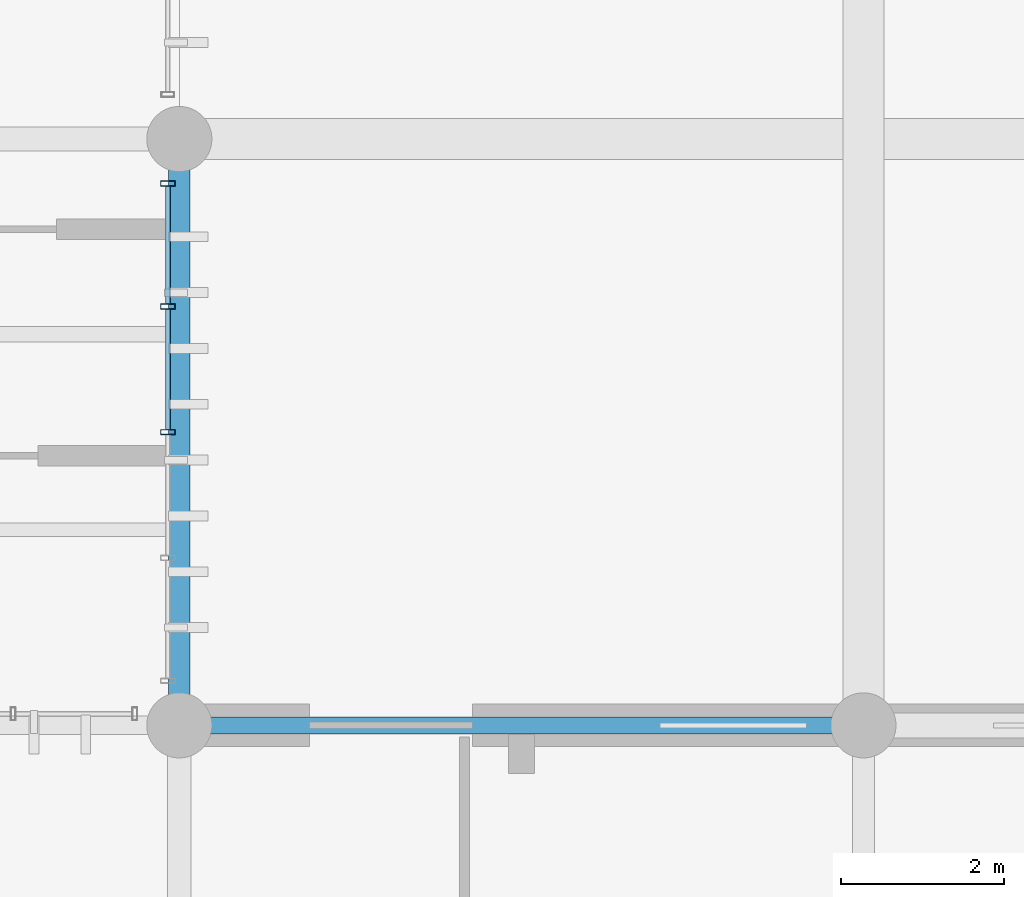
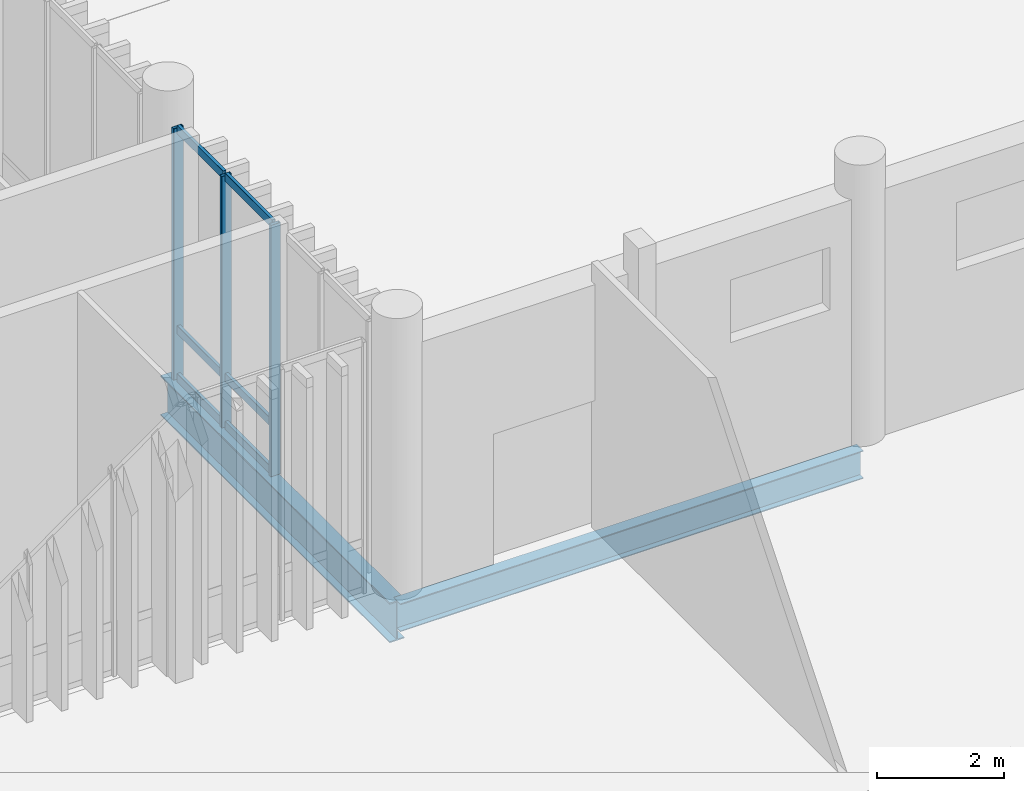
# One storey, part 48 of 112: 9 members, 2 beams, 1 element without a shape of its own.
"""IFC4 building model written with IfcOpenShell, lengths in metres."""

from ifc_helpers import new_model, si_unit, direction, frame, origin_with_axes, origin_2d_with_axis, place, context, subcontext, project, spatial, hollow_rectangle, i_section, extrude, material, material_profile, profile_set, type_object, element, aggregate, save


model = new_model("IFC4")

# Units and contexts
model_context = context("Model", 3, precision=1e-05, world=origin_with_axes(), true_north=direction((0.0, 1.0)))
body_context = subcontext(model_context, "Body", "Model", "MODEL_VIEW")
ifc_project = project(units=[si_unit("LENGTHUNIT", "METRE"), si_unit("AREAUNIT", "SQUARE_METRE"), si_unit("VOLUMEUNIT", "CUBIC_METRE"), si_unit("PLANEANGLEUNIT", "RADIAN"), si_unit("MASSUNIT", "GRAM", prefix="KILO"), si_unit("THERMODYNAMICTEMPERATUREUNIT", "KELVIN")], contexts=[model_context])

# Site, building, storey
site_placement = place(None, origin_with_axes())
site = spatial("IfcSite", under=ifc_project, at=site_placement, CompositionType="ELEMENT")
building_placement = place(site_placement, origin_with_axes())
building = spatial("IfcBuilding", under=site, at=building_placement, Name="Montbau Bow Law Courts", CompositionType="ELEMENT")
storey_placement = place(building_placement, origin_with_axes())
storey = spatial("IfcBuildingStorey", under=building, at=storey_placement, Name="L00", CompositionType="ELEMENT", Elevation=0.0)

# Beams
ifc_material_1 = material(Name="Steel CSA G40.21 Grade 350W (350 MPa)", Category="steel")
ifc_material_profile_1 = material_profile(ifc_material_1, i_section(OverallWidth=0.267, OverallDepth=0.766, WebThickness=0.0149, FlangeThickness=0.0236, at=origin_2d_with_axis()), Name="W760X185", Category="Main", Priority=0)
ifc_profile_set_1 = profile_set([ifc_material_profile_1], Name="Steel CSA G40.21 Grade 350W (350 MPa)")
beam_type_1 = type_object("IfcBeamType", Name="B-FLR-03", PredefinedType="BEAM", material=ifc_profile_set_1)
beam_1_placement = place(None, frame((97.2, 39.0, -0.673), z_axis=(0.0, 1.0, 0.0), x_axis=(-1.0, 0.0, 0.0)))
element("IfcBeam", 1, at=beam_1_placement, inside=storey, type_object=beam_type_1, Name="BM-L00-S0310:bm2_0313", PredefinedType="BEAM", context=body_context, shape_type="SweptSolid", body=[
    extrude(i_section(OverallWidth=0.267, OverallDepth=0.766, WebThickness=0.0149, FlangeThickness=0.0236, at=origin_2d_with_axis()), origin_with_axes(), (0.0, 0.0, 1.0), 7.2),
])
ifc_material_profile_2 = material_profile(ifc_material_1, i_section(OverallWidth=0.21, OverallDepth=0.537, WebThickness=0.0109, FlangeThickness=0.0174, at=origin_2d_with_axis()), Name="W530X101", Category="Main", Priority=0)
ifc_profile_set_2 = profile_set([ifc_material_profile_2], Name="Steel CSA G40.21 Grade 350W (350 MPa)")
beam_type_2 = type_object("IfcBeamType", Name="B-FLR-06", PredefinedType="BEAM", material=ifc_profile_set_2)
beam_2_placement = place(None, frame((97.2, 39.0, -0.558), z_axis=(1.0, 0.0, 0.0), x_axis=(0.0, 1.0, 0.0)))
element("IfcBeam", 2, at=beam_2_placement, inside=storey, type_object=beam_type_2, Name="BM-L00-S0194:bm2_0197", PredefinedType="BEAM", context=body_context, shape_type="SweptSolid", body=[
    extrude(i_section(OverallWidth=0.21, OverallDepth=0.537, WebThickness=0.0109, FlangeThickness=0.0174, at=origin_2d_with_axis()), origin_with_axes(), (0.0, 0.0, 1.0), 8.4),
])

# Curtain wall, members
ifc_material_2 = material(Name="Thermally Broken Extruded Aluminium AA 6063-T6", Category="aluminium")
curtain_wall_type = type_object("IfcCurtainWallType", Name="CW-CRM-01", PredefinedType="NOTDEFINED", material=ifc_material_2)
curtain_wall_placement = place(None, frame((97.06, 39.515, 0.0), z_axis=(0.0, 0.0, 1.0), x_axis=(1.0, 0.0, 0.0)))
curtain_wall = element("IfcCurtainWall", 3, at=curtain_wall_placement, inside=storey, type_object=curtain_wall_type, Name="CW-L00-136:cw_0136", PredefinedType="NOTDEFINED")
ifc_material_profile_3 = material_profile(ifc_material_2, hollow_rectangle(XDim=0.065, YDim=0.18, WallThickness=0.005, InnerFilletRadius=0.01, OuterFilletRadius=0.005, at=origin_2d_with_axis()), Name="CWM-180X65", Category="Main", Priority=0)
ifc_profile_set_3 = profile_set([ifc_material_profile_3], Name="Thermally Broken Extruded Aluminium AA 6063-T6")
member_type_1 = type_object("IfcMemberType", Name="M-MUL-02", PredefinedType="MULLION", material=ifc_profile_set_3)
member_1_placement = place(None, frame((97.06, 42.6, 0.0), z_axis=(0.0, 0.0, 1.0), x_axis=(0.0, 1.0, 0.0)))
member_1 = element("IfcMember", 4, at=member_1_placement, type_object=member_type_1, Name="CW-L00-136-M03:cw_0136_M03", PredefinedType="MULLION", context=body_context, shape_type="SweptSolid", body=[
    extrude(hollow_rectangle(XDim=0.065, YDim=0.18, WallThickness=0.005, InnerFilletRadius=0.01, OuterFilletRadius=0.005, at=origin_2d_with_axis()), origin_with_axes(), (0.0, 0.0, 1.0), 4.82),
])
member_2_placement = place(None, frame((97.06, 44.143, 0.0), z_axis=(0.0, 0.0, 1.0), x_axis=(0.0, 1.0, 0.0)))
member_2 = element("IfcMember", 5, at=member_2_placement, type_object=member_type_1, Name="CW-L00-136-M04:cw_0136_M04", PredefinedType="MULLION", context=body_context, shape_type="SweptSolid", body=[
    extrude(hollow_rectangle(XDim=0.065, YDim=0.18, WallThickness=0.005, InnerFilletRadius=0.01, OuterFilletRadius=0.005, at=origin_2d_with_axis()), origin_with_axes(), (0.0, 0.0, 1.0), 4.82),
])
member_3_placement = place(None, frame((97.06, 45.653, 0.0), z_axis=(0.0, 0.0, 1.0), x_axis=(0.0, 1.0, 0.0)))
member_3 = element("IfcMember", 6, at=member_3_placement, type_object=member_type_1, Name="CW-L00-136-M05:cw_0136_M05", PredefinedType="MULLION", context=body_context, shape_type="SweptSolid", body=[
    extrude(hollow_rectangle(XDim=0.065, YDim=0.18, WallThickness=0.005, InnerFilletRadius=0.01, OuterFilletRadius=0.005, at=origin_2d_with_axis()), origin_with_axes(), (0.0, 0.0, 1.0), 4.82),
])
ifc_material_profile_4 = material_profile(ifc_material_2, hollow_rectangle(XDim=0.06, YDim=0.16, WallThickness=0.004, InnerFilletRadius=0.008, OuterFilletRadius=0.004, at=origin_2d_with_axis()), Name="CWT-160X60", Category="Main", Priority=0)
ifc_profile_set_4 = profile_set([ifc_material_profile_4], Name="Thermally Broken Extruded Aluminium AA 6063-T6")
member_type_2 = type_object("IfcMemberType", Name="M-TRN-01", PredefinedType="USERDEFINED", material=ifc_profile_set_4)
member_4_placement = place(None, frame((97.06, 42.634, 0.03), z_axis=(0.0, 1.0, 0.0), x_axis=(-1.0, 0.0, 0.0)))
member_4 = element("IfcMember", 7, at=member_4_placement, type_object=member_type_2, Name="CW-L00-136-T03-1:cw_0136_T03_1", ObjectType="TRANSOM", PredefinedType="USERDEFINED", context=body_context, shape_type="SweptSolid", body=[
    extrude(hollow_rectangle(XDim=0.06, YDim=0.16, WallThickness=0.004, InnerFilletRadius=0.008, OuterFilletRadius=0.004, at=origin_2d_with_axis()), origin_with_axes(), (0.0, 0.0, 1.0), 1.475),
])
member_5_placement = place(None, frame((97.06, 42.634, 0.95), z_axis=(0.0, 1.0, 0.0), x_axis=(-1.0, 0.0, 0.0)))
member_5 = element("IfcMember", 8, at=member_5_placement, type_object=member_type_2, Name="CW-L00-136-T03-2:cw_0136_T03_2", ObjectType="TRANSOM", PredefinedType="USERDEFINED", context=body_context, shape_type="SweptSolid", body=[
    extrude(hollow_rectangle(XDim=0.06, YDim=0.16, WallThickness=0.004, InnerFilletRadius=0.008, OuterFilletRadius=0.004, at=origin_2d_with_axis()), origin_with_axes(), (0.0, 0.0, 1.0), 1.475),
])
member_6_placement = place(None, frame((97.06, 42.634, 4.79), z_axis=(0.0, 1.0, 0.0), x_axis=(-1.0, 0.0, 0.0)))
member_6 = element("IfcMember", 9, at=member_6_placement, type_object=member_type_2, Name="CW-L00-136-T03-3:cw_0136_T03_3", ObjectType="TRANSOM", PredefinedType="USERDEFINED", context=body_context, shape_type="SweptSolid", body=[
    extrude(hollow_rectangle(XDim=0.06, YDim=0.16, WallThickness=0.004, InnerFilletRadius=0.008, OuterFilletRadius=0.004, at=origin_2d_with_axis()), origin_with_axes(), (0.0, 0.0, 1.0), 1.475),
])
member_7_placement = place(None, frame((97.06, 44.177, 0.03), z_axis=(0.0, 1.0, 0.0), x_axis=(-1.0, 0.0, 0.0)))
member_7 = element("IfcMember", 10, at=member_7_placement, type_object=member_type_2, Name="CW-L00-136-T04-1:cw_0136_T04_1", ObjectType="TRANSOM", PredefinedType="USERDEFINED", context=body_context, shape_type="SweptSolid", body=[
    extrude(hollow_rectangle(XDim=0.06, YDim=0.16, WallThickness=0.004, InnerFilletRadius=0.008, OuterFilletRadius=0.004, at=origin_2d_with_axis()), origin_with_axes(), (0.0, 0.0, 1.0), 1.442),
])
member_8_placement = place(None, frame((97.06, 44.177, 0.95), z_axis=(0.0, 1.0, 0.0), x_axis=(-1.0, 0.0, 0.0)))
member_8 = element("IfcMember", 11, at=member_8_placement, type_object=member_type_2, Name="CW-L00-136-T04-2:cw_0136_T04_2", ObjectType="TRANSOM", PredefinedType="USERDEFINED", context=body_context, shape_type="SweptSolid", body=[
    extrude(hollow_rectangle(XDim=0.06, YDim=0.16, WallThickness=0.004, InnerFilletRadius=0.008, OuterFilletRadius=0.004, at=origin_2d_with_axis()), origin_with_axes(), (0.0, 0.0, 1.0), 1.442),
])
member_9_placement = place(None, frame((97.06, 44.177, 4.79), z_axis=(0.0, 1.0, 0.0), x_axis=(-1.0, 0.0, 0.0)))
member_9 = element("IfcMember", 12, at=member_9_placement, type_object=member_type_2, Name="CW-L00-136-T04-3:cw_0136_T04_3", ObjectType="TRANSOM", PredefinedType="USERDEFINED", context=body_context, shape_type="SweptSolid", body=[
    extrude(hollow_rectangle(XDim=0.06, YDim=0.16, WallThickness=0.004, InnerFilletRadius=0.008, OuterFilletRadius=0.004, at=origin_2d_with_axis()), origin_with_axes(), (0.0, 0.0, 1.0), 1.442),
])
aggregate(curtain_wall, [member_1, member_2, member_3, member_4, member_5, member_6, member_7, member_8, member_9])

save(model, "model.ifc")
